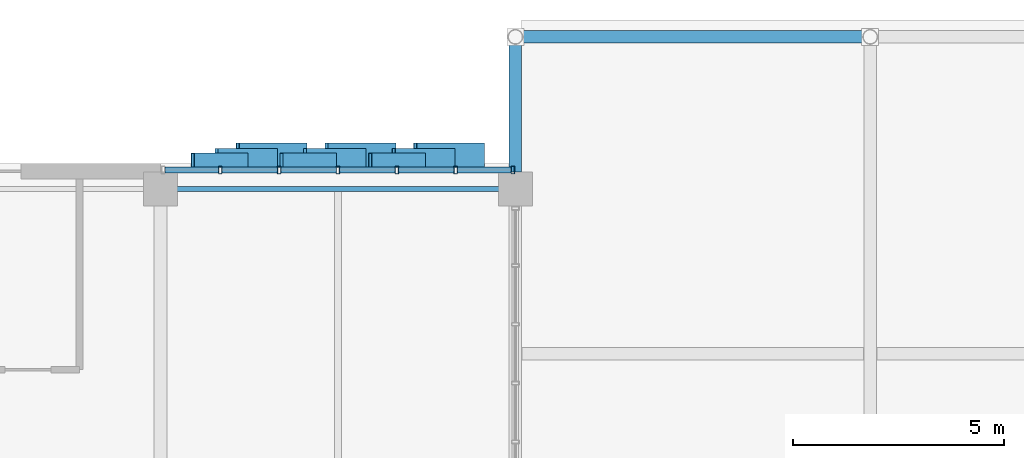
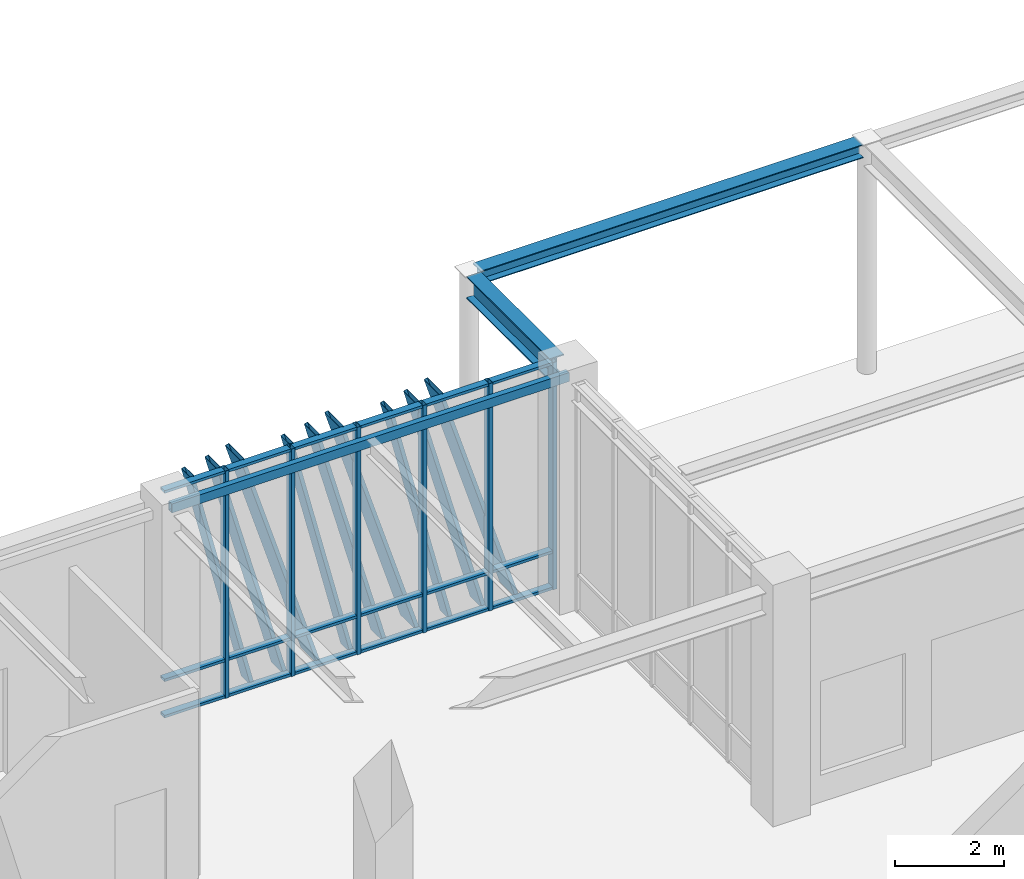
# One storey, part 45 of 122: 33 members, 3 beams, 1 element without a shape of its own.
"""IFC4 building model written with IfcOpenShell, lengths in metres."""

from ifc_helpers import new_model, si_unit, direction, frame, origin, origin_2d, place, context, subcontext, project, spatial, hollow_rectangle, i_section, extrude, material, layer, layer_set, material_profile, profile_set, type_object, element, aggregate, save


model = new_model("IFC4")

# Units and contexts
model_context = context("Model", 3, precision=1e-05, world=origin(), true_north=direction((0.0, 1.0)))
body_context = subcontext(model_context, "Body", "Model", "MODEL_VIEW")
ifc_project = project(units=[si_unit("LENGTHUNIT", "METRE"), si_unit("AREAUNIT", "SQUARE_METRE"), si_unit("VOLUMEUNIT", "CUBIC_METRE"), si_unit("PLANEANGLEUNIT", "RADIAN"), si_unit("MASSUNIT", "GRAM", prefix="KILO")], contexts=[model_context])

# Site, building, storey
site_placement = place(None, origin())
site = spatial("IfcSite", under=ifc_project, at=site_placement, CompositionType="ELEMENT")
building_placement = place(site_placement, origin())
building = spatial("IfcBuilding", under=site, at=building_placement, Name="Zayran Congress Hotel", CompositionType="ELEMENT")
storey_placement = place(building_placement, origin())
storey = spatial("IfcBuildingStorey", under=building, at=storey_placement, Name="L00", CompositionType="ELEMENT", Elevation=0.0)

# Beams
ifc_material_1 = material(Name="Steel S355", Category="steel")
ifc_material_profile_1 = material_profile(ifc_material_1, i_section(OverallWidth=0.300048828125, OverallDepth=0.5, WebThickness=0.014404296875, FlangeThickness=0.028076171875, at=origin_2d()), Name="HEB 500")
ifc_profile_set_1 = profile_set([ifc_material_profile_1], Name="Steel S355")
beam_type_1 = type_object("IfcBeamType", Name="TP-BM-08", PredefinedType="BEAM", material=ifc_profile_set_1)
beam_1_placement = place(storey_placement, frame((33.60009765625, 117.800048828125, 4.909912109375), z_axis=(0.0, 1.0, 0.0), x_axis=(-1.0, 0.0, 0.0)))
element("IfcBeam", 1, at=beam_1_placement, inside=storey, type_object=beam_type_1, Name="BM-NCAN-RIB-1", PredefinedType="BEAM", context=body_context, shape_type="SweptSolid", body=[
    extrude(i_section(OverallWidth=0.300048828125, OverallDepth=0.5, WebThickness=0.014404296875, FlangeThickness=0.028076171875, at=origin_2d()), origin(), (0.0, 0.0, 1.0), 3.0400390625),
])
ifc_material_profile_2 = material_profile(ifc_material_1, i_section(OverallWidth=0.300048828125, OverallDepth=0.300048828125, WebThickness=0.010986328125, FlangeThickness=0.01904296875, at=origin_2d()), Name="HEB 300")
ifc_profile_set_2 = profile_set([ifc_material_profile_2], Name="Steel S355")
beam_type_2 = type_object("IfcBeamType", Name="TP-BM-11", PredefinedType="BEAM", material=ifc_profile_set_2)
beam_2_placement = place(storey_placement, frame((33.760009765625, 121.0, 5.010009765625), z_axis=(1.0, 0.0, 0.0), x_axis=(0.0, 1.0, 0.0)))
element("IfcBeam", 2, at=beam_2_placement, inside=storey, type_object=beam_type_2, Name="BM-NCAN-TIE-4", PredefinedType="BEAM", context=body_context, shape_type="SweptSolid", body=[
    extrude(i_section(OverallWidth=0.300048828125, OverallDepth=0.300048828125, WebThickness=0.010986328125, FlangeThickness=0.01904296875, at=origin_2d()), origin(), (0.0, 0.0, 1.0), 8.080078125),
])
ifc_material_profile_3 = material_profile(ifc_material_1, hollow_rectangle(XDim=0.1201171875, YDim=0.199951171875, WallThickness=0.008056640625, at=origin_2d()), Name="RHS 200x120x8")
ifc_profile_set_3 = profile_set([ifc_material_profile_3], Name="Steel S355")
beam_type_3 = type_object("IfcBeamType", Name="TP-SP-02", PredefinedType="SPANDREL", material=ifc_profile_set_3)
beam_3_placement = place(storey_placement, frame((25.199951171875, 117.39990234375, 4.97998046875), z_axis=(1.0, 0.0, 0.0), x_axis=(0.0, 1.0, 0.0)))
element("IfcBeam", 3, at=beam_3_placement, inside=storey, type_object=beam_type_3, Name="BM-V1-L00-0437", PredefinedType="SPANDREL", context=body_context, shape_type="SweptSolid", body=[
    extrude(hollow_rectangle(XDim=0.1201171875, YDim=0.199951171875, WallThickness=0.008056640625, at=origin_2d()), origin(), (0.0, 0.0, 1.0), 8.400146484375),
])

# Curtain wall, members
ifc_material_2 = material(Name="Anodised aluminium and low-E insulated glass", Category="aluminium")
ifc_layer = layer(ifc_material_2, 0.179931640625)
ifc_layer_set = layer_set([ifc_layer], Name="Anodised aluminium and low-E insulated glass")
curtain_wall_type = type_object("IfcCurtainWallType", Name="CW-V1N-L00-CW-23-8360-5080", PredefinedType="USERDEFINED", material=ifc_layer_set)
curtain_wall_placement = place(storey_placement, origin())
curtain_wall = element("IfcCurtainWall", 4, at=curtain_wall_placement, inside=storey, type_object=curtain_wall_type, Name="CW-V1N-L00-2", ObjectType="CURTAIN WALL", PredefinedType="USERDEFINED")
ifc_material_3 = material(Name="Anodised aluminium framing", Category="aluminium")
ifc_material_profile_4 = material_profile(ifc_material_3, hollow_rectangle(XDim=0.080078125, YDim=0.179931640625, WallThickness=0.0048828125, at=origin_2d()), Name="RHS 180x80x5")
ifc_profile_set_4 = profile_set([ifc_material_profile_4], Name="Anodised aluminium framing")
member_type_1 = type_object("IfcMemberType", Name="TP-CWM-01", PredefinedType="MULLION", material=ifc_profile_set_4)
member_1_placement = place(storey_placement, frame((33.5400390625, 117.85009765625, 0.0), z_axis=(0.0, 0.0, 1.0), x_axis=(1.0, 0.0, 0.0)))
member_1 = element("IfcMember", 5, at=member_1_placement, type_object=member_type_1, Name="CW-V1N-L00-2-M00", PredefinedType="MULLION", context=body_context, shape_type="SweptSolid", body=[
    extrude(hollow_rectangle(XDim=0.080078125, YDim=0.179931640625, WallThickness=0.0048828125, at=origin_2d()), origin(), (0.0, 0.0, 1.0), 5.080078125),
])
member_2_placement = place(storey_placement, frame((32.186767578125, 117.85009765625, 0.0), z_axis=(0.0, 0.0, 1.0), x_axis=(1.0, 0.0, 0.0)))
member_2 = element("IfcMember", 6, at=member_2_placement, type_object=member_type_1, Name="CW-V1N-L00-2-M01", PredefinedType="MULLION", context=body_context, shape_type="SweptSolid", body=[
    extrude(hollow_rectangle(XDim=0.080078125, YDim=0.179931640625, WallThickness=0.0048828125, at=origin_2d()), origin(), (0.0, 0.0, 1.0), 5.080078125),
])
member_3_placement = place(storey_placement, frame((30.793212890625, 117.85009765625, 0.0), z_axis=(0.0, 0.0, 1.0), x_axis=(1.0, 0.0, 0.0)))
member_3 = element("IfcMember", 7, at=member_3_placement, type_object=member_type_1, Name="CW-V1N-L00-2-M02", PredefinedType="MULLION", context=body_context, shape_type="SweptSolid", body=[
    extrude(hollow_rectangle(XDim=0.080078125, YDim=0.179931640625, WallThickness=0.0048828125, at=origin_2d()), origin(), (0.0, 0.0, 1.0), 5.080078125),
])
member_4_placement = place(storey_placement, frame((29.39990234375, 117.85009765625, 0.0), z_axis=(0.0, 0.0, 1.0), x_axis=(1.0, 0.0, 0.0)))
member_4 = element("IfcMember", 8, at=member_4_placement, type_object=member_type_1, Name="CW-V1N-L00-2-M03", PredefinedType="MULLION", context=body_context, shape_type="SweptSolid", body=[
    extrude(hollow_rectangle(XDim=0.080078125, YDim=0.179931640625, WallThickness=0.0048828125, at=origin_2d()), origin(), (0.0, 0.0, 1.0), 5.080078125),
])
member_5_placement = place(storey_placement, frame((28.006591796875, 117.85009765625, 0.0), z_axis=(0.0, 0.0, 1.0), x_axis=(1.0, 0.0, 0.0)))
member_5 = element("IfcMember", 9, at=member_5_placement, type_object=member_type_1, Name="CW-V1N-L00-2-M04", PredefinedType="MULLION", context=body_context, shape_type="SweptSolid", body=[
    extrude(hollow_rectangle(XDim=0.080078125, YDim=0.179931640625, WallThickness=0.0048828125, at=origin_2d()), origin(), (0.0, 0.0, 1.0), 5.080078125),
])
member_6_placement = place(storey_placement, frame((26.61328125, 117.85009765625, 0.0), z_axis=(0.0, 0.0, 1.0), x_axis=(1.0, 0.0, 0.0)))
member_6 = element("IfcMember", 10, at=member_6_placement, type_object=member_type_1, Name="CW-V1N-L00-2-M05", PredefinedType="MULLION", context=body_context, shape_type="SweptSolid", body=[
    extrude(hollow_rectangle(XDim=0.080078125, YDim=0.179931640625, WallThickness=0.0048828125, at=origin_2d()), origin(), (0.0, 0.0, 1.0), 5.080078125),
])
ifc_material_profile_5 = material_profile(ifc_material_3, hollow_rectangle(XDim=0.06005859375, YDim=0.14990234375, WallThickness=0.00390625, at=origin_2d()), Name="RHS 150x60x4")
ifc_profile_set_5 = profile_set([ifc_material_profile_5], Name="Anodised aluminium framing")
member_type_2 = type_object("IfcMemberType", Name="TP-CWT-01", PredefinedType="USERDEFINED", material=ifc_profile_set_5)
member_7_placement = place(storey_placement, frame((33.5, 117.85009765625, 0.030029296875), z_axis=(-1.0, 0.0, 0.0), x_axis=(0.0, 0.0, 1.0)))
member_7 = element("IfcMember", 11, at=member_7_placement, type_object=member_type_2, Name="CW-V1N-L00-2-T00-0", ObjectType="TRANSOM", PredefinedType="USERDEFINED", context=body_context, shape_type="SweptSolid", body=[
    extrude(hollow_rectangle(XDim=0.06005859375, YDim=0.14990234375, WallThickness=0.00390625, at=origin_2d()), origin(), (0.0, 0.0, 1.0), 1.273193359375),
])
member_8_placement = place(storey_placement, frame((33.5, 117.85009765625, 0.840087890625), z_axis=(-1.0, 0.0, 0.0), x_axis=(0.0, 0.0, 1.0)))
member_8 = element("IfcMember", 12, at=member_8_placement, type_object=member_type_2, Name="CW-V1N-L00-2-T00-1", ObjectType="TRANSOM", PredefinedType="USERDEFINED", context=body_context, shape_type="SweptSolid", body=[
    extrude(hollow_rectangle(XDim=0.06005859375, YDim=0.14990234375, WallThickness=0.00390625, at=origin_2d()), origin(), (0.0, 0.0, 1.0), 1.273193359375),
])
member_9_placement = place(storey_placement, frame((33.5, 117.85009765625, 5.050048828125), z_axis=(-1.0, 0.0, 0.0), x_axis=(0.0, 0.0, 1.0)))
member_9 = element("IfcMember", 13, at=member_9_placement, type_object=member_type_2, Name="CW-V1N-L00-2-T00-2", ObjectType="TRANSOM", PredefinedType="USERDEFINED", context=body_context, shape_type="SweptSolid", body=[
    extrude(hollow_rectangle(XDim=0.06005859375, YDim=0.14990234375, WallThickness=0.00390625, at=origin_2d()), origin(), (0.0, 0.0, 1.0), 1.273193359375),
])
member_10_placement = place(storey_placement, frame((32.146728515625, 117.85009765625, 0.030029296875), z_axis=(-1.0, 0.0, 0.0), x_axis=(0.0, 0.0, 1.0)))
member_10 = element("IfcMember", 14, at=member_10_placement, type_object=member_type_2, Name="CW-V1N-L00-2-T01-0", ObjectType="TRANSOM", PredefinedType="USERDEFINED", context=body_context, shape_type="SweptSolid", body=[
    extrude(hollow_rectangle(XDim=0.06005859375, YDim=0.14990234375, WallThickness=0.00390625, at=origin_2d()), origin(), (0.0, 0.0, 1.0), 1.3134765625),
])
member_11_placement = place(storey_placement, frame((32.146728515625, 117.85009765625, 0.840087890625), z_axis=(-1.0, 0.0, 0.0), x_axis=(0.0, 0.0, 1.0)))
member_11 = element("IfcMember", 15, at=member_11_placement, type_object=member_type_2, Name="CW-V1N-L00-2-T01-1", ObjectType="TRANSOM", PredefinedType="USERDEFINED", context=body_context, shape_type="SweptSolid", body=[
    extrude(hollow_rectangle(XDim=0.06005859375, YDim=0.14990234375, WallThickness=0.00390625, at=origin_2d()), origin(), (0.0, 0.0, 1.0), 1.3134765625),
])
member_12_placement = place(storey_placement, frame((32.146728515625, 117.85009765625, 5.050048828125), z_axis=(-1.0, 0.0, 0.0), x_axis=(0.0, 0.0, 1.0)))
member_12 = element("IfcMember", 16, at=member_12_placement, type_object=member_type_2, Name="CW-V1N-L00-2-T01-2", ObjectType="TRANSOM", PredefinedType="USERDEFINED", context=body_context, shape_type="SweptSolid", body=[
    extrude(hollow_rectangle(XDim=0.06005859375, YDim=0.14990234375, WallThickness=0.00390625, at=origin_2d()), origin(), (0.0, 0.0, 1.0), 1.3134765625),
])
member_13_placement = place(storey_placement, frame((30.75341796875, 117.85009765625, 0.030029296875), z_axis=(-1.0, 0.0, 0.0), x_axis=(0.0, 0.0, 1.0)))
member_13 = element("IfcMember", 17, at=member_13_placement, type_object=member_type_2, Name="CW-V1N-L00-2-T02-0", ObjectType="TRANSOM", PredefinedType="USERDEFINED", context=body_context, shape_type="SweptSolid", body=[
    extrude(hollow_rectangle(XDim=0.06005859375, YDim=0.14990234375, WallThickness=0.00390625, at=origin_2d()), origin(), (0.0, 0.0, 1.0), 1.3134765625),
])
member_14_placement = place(storey_placement, frame((30.75341796875, 117.85009765625, 0.840087890625), z_axis=(-1.0, 0.0, 0.0), x_axis=(0.0, 0.0, 1.0)))
member_14 = element("IfcMember", 18, at=member_14_placement, type_object=member_type_2, Name="CW-V1N-L00-2-T02-1", ObjectType="TRANSOM", PredefinedType="USERDEFINED", context=body_context, shape_type="SweptSolid", body=[
    extrude(hollow_rectangle(XDim=0.06005859375, YDim=0.14990234375, WallThickness=0.00390625, at=origin_2d()), origin(), (0.0, 0.0, 1.0), 1.3134765625),
])
member_15_placement = place(storey_placement, frame((30.75341796875, 117.85009765625, 5.050048828125), z_axis=(-1.0, 0.0, 0.0), x_axis=(0.0, 0.0, 1.0)))
member_15 = element("IfcMember", 19, at=member_15_placement, type_object=member_type_2, Name="CW-V1N-L00-2-T02-2", ObjectType="TRANSOM", PredefinedType="USERDEFINED", context=body_context, shape_type="SweptSolid", body=[
    extrude(hollow_rectangle(XDim=0.06005859375, YDim=0.14990234375, WallThickness=0.00390625, at=origin_2d()), origin(), (0.0, 0.0, 1.0), 1.3134765625),
])
member_16_placement = place(storey_placement, frame((29.360107421875, 117.85009765625, 0.030029296875), z_axis=(-1.0, 0.0, 0.0), x_axis=(0.0, 0.0, 1.0)))
member_16 = element("IfcMember", 20, at=member_16_placement, type_object=member_type_2, Name="CW-V1N-L00-2-T03-0", ObjectType="TRANSOM", PredefinedType="USERDEFINED", context=body_context, shape_type="SweptSolid", body=[
    extrude(hollow_rectangle(XDim=0.06005859375, YDim=0.14990234375, WallThickness=0.00390625, at=origin_2d()), origin(), (0.0, 0.0, 1.0), 1.3134765625),
])
member_17_placement = place(storey_placement, frame((29.360107421875, 117.85009765625, 0.840087890625), z_axis=(-1.0, 0.0, 0.0), x_axis=(0.0, 0.0, 1.0)))
member_17 = element("IfcMember", 21, at=member_17_placement, type_object=member_type_2, Name="CW-V1N-L00-2-T03-1", ObjectType="TRANSOM", PredefinedType="USERDEFINED", context=body_context, shape_type="SweptSolid", body=[
    extrude(hollow_rectangle(XDim=0.06005859375, YDim=0.14990234375, WallThickness=0.00390625, at=origin_2d()), origin(), (0.0, 0.0, 1.0), 1.3134765625),
])
member_18_placement = place(storey_placement, frame((29.360107421875, 117.85009765625, 5.050048828125), z_axis=(-1.0, 0.0, 0.0), x_axis=(0.0, 0.0, 1.0)))
member_18 = element("IfcMember", 22, at=member_18_placement, type_object=member_type_2, Name="CW-V1N-L00-2-T03-2", ObjectType="TRANSOM", PredefinedType="USERDEFINED", context=body_context, shape_type="SweptSolid", body=[
    extrude(hollow_rectangle(XDim=0.06005859375, YDim=0.14990234375, WallThickness=0.00390625, at=origin_2d()), origin(), (0.0, 0.0, 1.0), 1.3134765625),
])
member_19_placement = place(storey_placement, frame((27.966796875, 117.85009765625, 0.030029296875), z_axis=(-1.0, 0.0, 0.0), x_axis=(0.0, 0.0, 1.0)))
member_19 = element("IfcMember", 23, at=member_19_placement, type_object=member_type_2, Name="CW-V1N-L00-2-T04-0", ObjectType="TRANSOM", PredefinedType="USERDEFINED", context=body_context, shape_type="SweptSolid", body=[
    extrude(hollow_rectangle(XDim=0.06005859375, YDim=0.14990234375, WallThickness=0.00390625, at=origin_2d()), origin(), (0.0, 0.0, 1.0), 1.3134765625),
])
member_20_placement = place(storey_placement, frame((27.966796875, 117.85009765625, 0.840087890625), z_axis=(-1.0, 0.0, 0.0), x_axis=(0.0, 0.0, 1.0)))
member_20 = element("IfcMember", 24, at=member_20_placement, type_object=member_type_2, Name="CW-V1N-L00-2-T04-1", ObjectType="TRANSOM", PredefinedType="USERDEFINED", context=body_context, shape_type="SweptSolid", body=[
    extrude(hollow_rectangle(XDim=0.06005859375, YDim=0.14990234375, WallThickness=0.00390625, at=origin_2d()), origin(), (0.0, 0.0, 1.0), 1.3134765625),
])
member_21_placement = place(storey_placement, frame((27.966796875, 117.85009765625, 5.050048828125), z_axis=(-1.0, 0.0, 0.0), x_axis=(0.0, 0.0, 1.0)))
member_21 = element("IfcMember", 25, at=member_21_placement, type_object=member_type_2, Name="CW-V1N-L00-2-T04-2", ObjectType="TRANSOM", PredefinedType="USERDEFINED", context=body_context, shape_type="SweptSolid", body=[
    extrude(hollow_rectangle(XDim=0.06005859375, YDim=0.14990234375, WallThickness=0.00390625, at=origin_2d()), origin(), (0.0, 0.0, 1.0), 1.3134765625),
])
member_22_placement = place(storey_placement, frame((26.5732421875, 117.85009765625, 0.030029296875), z_axis=(-1.0, 0.0, 0.0), x_axis=(0.0, 0.0, 1.0)))
member_22 = element("IfcMember", 26, at=member_22_placement, type_object=member_type_2, Name="CW-V1N-L00-2-T05-0", ObjectType="TRANSOM", PredefinedType="USERDEFINED", context=body_context, shape_type="SweptSolid", body=[
    extrude(hollow_rectangle(XDim=0.06005859375, YDim=0.14990234375, WallThickness=0.00390625, at=origin_2d()), origin(), (0.0, 0.0, 1.0), 1.273193359375),
])
member_23_placement = place(storey_placement, frame((26.5732421875, 117.85009765625, 0.840087890625), z_axis=(-1.0, 0.0, 0.0), x_axis=(0.0, 0.0, 1.0)))
member_23 = element("IfcMember", 27, at=member_23_placement, type_object=member_type_2, Name="CW-V1N-L00-2-T05-1", ObjectType="TRANSOM", PredefinedType="USERDEFINED", context=body_context, shape_type="SweptSolid", body=[
    extrude(hollow_rectangle(XDim=0.06005859375, YDim=0.14990234375, WallThickness=0.00390625, at=origin_2d()), origin(), (0.0, 0.0, 1.0), 1.273193359375),
])
member_24_placement = place(storey_placement, frame((26.5732421875, 117.85009765625, 5.050048828125), z_axis=(-1.0, 0.0, 0.0), x_axis=(0.0, 0.0, 1.0)))
member_24 = element("IfcMember", 28, at=member_24_placement, type_object=member_type_2, Name="CW-V1N-L00-2-T05-2", ObjectType="TRANSOM", PredefinedType="USERDEFINED", context=body_context, shape_type="SweptSolid", body=[
    extrude(hollow_rectangle(XDim=0.06005859375, YDim=0.14990234375, WallThickness=0.00390625, at=origin_2d()), origin(), (0.0, 0.0, 1.0), 1.273193359375),
])
ifc_material_4 = material(Name="Warm bronze anodised aluminium", Category="aluminium")
ifc_material_profile_6 = material_profile(ifc_material_4, hollow_rectangle(XDim=0.080078125, YDim=0.580078125, WallThickness=0.006103515625, at=origin_2d()), Name="RHS 580x80x6")
ifc_profile_set_6 = profile_set([ifc_material_profile_6], Name="Warm bronze anodised aluminium")
member_type_3 = type_object("IfcMemberType", Name="TP-RFN-01", PredefinedType="MULLION", material=ifc_profile_set_6)
member_25_placement = place(storey_placement, frame((32.830078125, 118.199951171875, 0.0), z_axis=(-0.300716755525, 0.0, 0.953713496259), x_axis=(0.953713496259, 0.0, 0.300716755525)))
member_25 = element("IfcMember", 29, at=member_25_placement, type_object=member_type_3, Name="Slanting Reed Mullion CW-23-01", PredefinedType="MULLION", context=body_context, shape_type="SweptSolid", body=[
    extrude(hollow_rectangle(XDim=0.080078125, YDim=0.580078125, WallThickness=0.006103515625, at=origin_2d()), origin(), (0.0, 0.0, 1.0), 5.32666015625),
])
member_26_placement = place(storey_placement, frame((30.72998046875, 118.199951171875, 0.0), z_axis=(-0.300675065474, 0.0, 0.953726640606), x_axis=(0.953726640606, 0.0, 0.300675065474)))
member_26 = element("IfcMember", 30, at=member_26_placement, type_object=member_type_3, Name="Slanting Reed Mullion CW-23-04", PredefinedType="MULLION", context=body_context, shape_type="SweptSolid", body=[
    extrude(hollow_rectangle(XDim=0.080078125, YDim=0.580078125, WallThickness=0.006103515625, at=origin_2d()), origin(), (0.0, 0.0, 1.0), 5.32666015625),
])
member_27_placement = place(storey_placement, frame((28.6298828125, 118.199951171875, 0.0), z_axis=(-0.300675065474, 0.0, 0.953726640606), x_axis=(0.953726640606, 0.0, 0.300675065474)))
member_27 = element("IfcMember", 31, at=member_27_placement, type_object=member_type_3, Name="Slanting Reed Mullion CW-23-07", PredefinedType="MULLION", context=body_context, shape_type="SweptSolid", body=[
    extrude(hollow_rectangle(XDim=0.080078125, YDim=0.580078125, WallThickness=0.006103515625, at=origin_2d()), origin(), (0.0, 0.0, 1.0), 5.32666015625),
])
ifc_material_profile_7 = material_profile(ifc_material_4, hollow_rectangle(XDim=0.080078125, YDim=0.449951171875, WallThickness=0.006103515625, at=origin_2d()), Name="RHS 450x80x6")
ifc_profile_set_7 = profile_set([ifc_material_profile_7], Name="Warm bronze anodised aluminium")
member_type_4 = type_object("IfcMemberType", Name="TP-RFN-02", PredefinedType="MULLION", material=ifc_profile_set_7)
member_28_placement = place(storey_placement, frame((32.1298828125, 118.135009765625, 0.0), z_axis=(-0.267213902124, 0.0, 0.963637240102), x_axis=(0.963637240102, 0.0, 0.267213902124)))
member_28 = element("IfcMember", 32, at=member_28_placement, type_object=member_type_4, Name="Slanting Reed Mullion CW-23-02", PredefinedType="MULLION", context=body_context, shape_type="SweptSolid", body=[
    extrude(hollow_rectangle(XDim=0.080078125, YDim=0.449951171875, WallThickness=0.006103515625, at=origin_2d()), origin(), (0.0, 0.0, 1.0), 5.271728515625),
])
member_29_placement = place(storey_placement, frame((30.030029296875, 118.135009765625, 0.0), z_axis=(-0.267256905477, 0.0, 0.96362531436), x_axis=(0.96362531436, 0.0, 0.267256905477)))
member_29 = element("IfcMember", 33, at=member_29_placement, type_object=member_type_4, Name="Slanting Reed Mullion CW-23-05", PredefinedType="MULLION", context=body_context, shape_type="SweptSolid", body=[
    extrude(hollow_rectangle(XDim=0.080078125, YDim=0.449951171875, WallThickness=0.006103515625, at=origin_2d()), origin(), (0.0, 0.0, 1.0), 5.271728515625),
])
member_30_placement = place(storey_placement, frame((27.929931640625, 118.135009765625, 0.0), z_axis=(-0.267213902124, 0.0, 0.963637240102), x_axis=(0.963637240102, 0.0, 0.267213902124)))
member_30 = element("IfcMember", 34, at=member_30_placement, type_object=member_type_4, Name="Slanting Reed Mullion CW-23-08", PredefinedType="MULLION", context=body_context, shape_type="SweptSolid", body=[
    extrude(hollow_rectangle(XDim=0.080078125, YDim=0.449951171875, WallThickness=0.006103515625, at=origin_2d()), origin(), (0.0, 0.0, 1.0), 5.271728515625),
])
ifc_material_profile_8 = material_profile(ifc_material_4, hollow_rectangle(XDim=0.080078125, YDim=0.340087890625, WallThickness=0.006103515625, at=origin_2d()), Name="RHS 340x80x6")
ifc_profile_set_8 = profile_set([ifc_material_profile_8], Name="Warm bronze anodised aluminium")
member_type_5 = type_object("IfcMemberType", Name="TP-RFN-03", PredefinedType="MULLION", material=ifc_profile_set_8)
member_31_placement = place(storey_placement, frame((31.429931640625, 118.080078125, 0.0), z_axis=(-0.241921145618, 0.0, 0.970295913267), x_axis=(0.970295913267, 0.0, 0.241921145618)))
member_31 = element("IfcMember", 35, at=member_31_placement, type_object=member_type_5, Name="Slanting Reed Mullion CW-23-03", PredefinedType="MULLION", context=body_context, shape_type="SweptSolid", body=[
    extrude(hollow_rectangle(XDim=0.080078125, YDim=0.340087890625, WallThickness=0.006103515625, at=origin_2d()), origin(), (0.0, 0.0, 1.0), 5.235595703125),
])
member_32_placement = place(storey_placement, frame((29.330078125, 118.080078125, 0.0), z_axis=(-0.241921145618, 0.0, 0.970295913267), x_axis=(0.970295913267, 0.0, 0.241921145618)))
member_32 = element("IfcMember", 36, at=member_32_placement, type_object=member_type_5, Name="Slanting Reed Mullion CW-23-06", PredefinedType="MULLION", context=body_context, shape_type="SweptSolid", body=[
    extrude(hollow_rectangle(XDim=0.080078125, YDim=0.340087890625, WallThickness=0.006103515625, at=origin_2d()), origin(), (0.0, 0.0, 1.0), 5.235595703125),
])
member_33_placement = place(storey_placement, frame((27.22998046875, 118.080078125, 0.0), z_axis=(-0.241921145618, 0.0, 0.970295913267), x_axis=(0.970295913267, 0.0, 0.241921145618)))
member_33 = element("IfcMember", 37, at=member_33_placement, type_object=member_type_5, Name="Slanting Reed Mullion CW-23-09", PredefinedType="MULLION", context=body_context, shape_type="SweptSolid", body=[
    extrude(hollow_rectangle(XDim=0.080078125, YDim=0.340087890625, WallThickness=0.006103515625, at=origin_2d()), origin(), (0.0, 0.0, 1.0), 5.235595703125),
])
aggregate(curtain_wall, [member_1, member_2, member_3, member_4, member_5, member_6, member_7, member_8, member_9, member_10, member_11, member_12, member_13, member_14, member_15, member_16, member_17, member_18, member_19, member_20, member_21, member_22, member_23, member_24, member_25, member_28, member_31, member_26, member_29, member_32, member_27, member_30, member_33])

save(model, "model.ifc")
